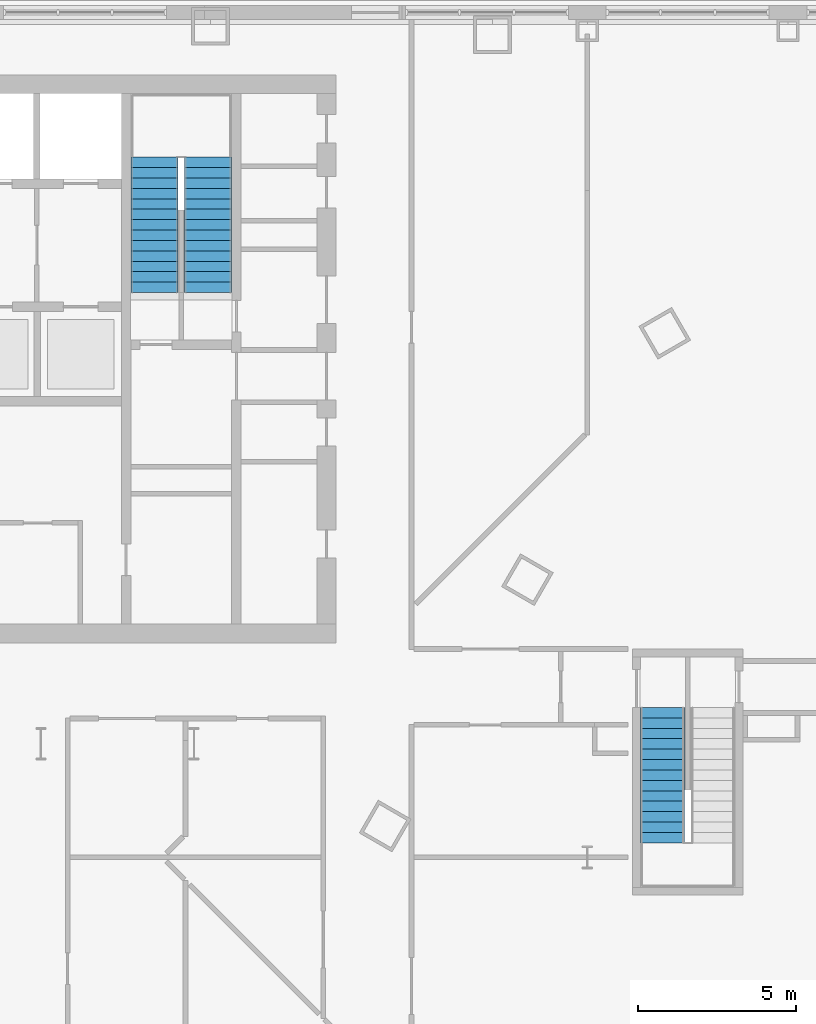
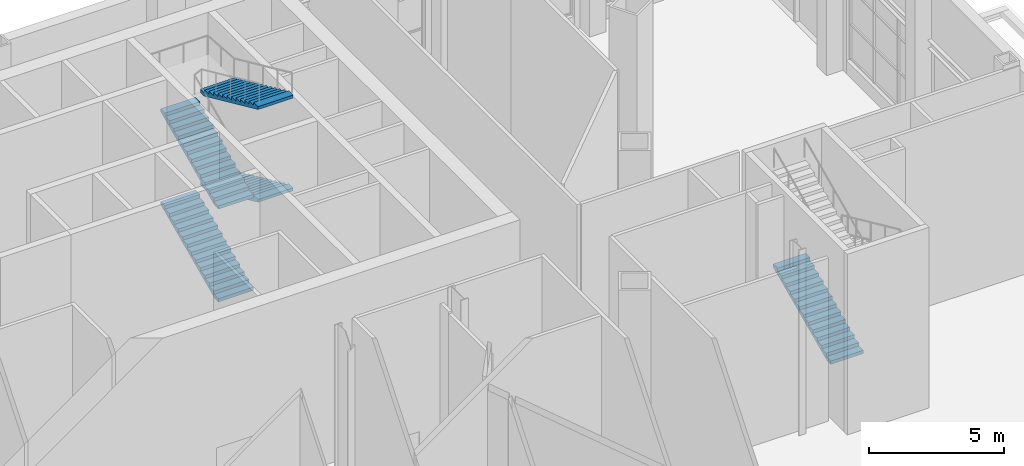
# One storey, part 29 of 34: 5 stair flights, 2 elements without a shape of their own.
"""IFC4 building model written with IfcOpenShell, lengths in metres."""

from ifc_helpers import new_model, si_unit, direction, frame, origin, place, context, subcontext, project, spatial, polygons, material, type_object, element, aggregate, save


model = new_model("IFC4")

# Units and contexts
model_context = context("Model", 3, precision=1e-05, world=origin(), true_north=direction((0.0, 1.0)))
body_context = subcontext(model_context, "Body", "Model", "MODEL_VIEW")
ifc_project = project(units=[si_unit("LENGTHUNIT", "METRE"), si_unit("AREAUNIT", "SQUARE_METRE"), si_unit("VOLUMEUNIT", "CUBIC_METRE"), si_unit("PLANEANGLEUNIT", "RADIAN"), si_unit("MASSUNIT", "GRAM", prefix="KILO")], contexts=[model_context])

# Site, building, storey
site_placement = place(None, origin())
site = spatial("IfcSite", under=ifc_project, at=site_placement, CompositionType="ELEMENT")
building_placement = place(site_placement, origin())
building = spatial("IfcBuilding", under=site, at=building_placement, Name="Njiva Tower", CompositionType="ELEMENT")
storey_placement = place(building_placement, origin())
storey = spatial("IfcBuildingStorey", under=building, at=storey_placement, Name="L00", CompositionType="ELEMENT", Elevation=0.0)

# Stair, stair flight
ifc_material = material(Name="Concrete C40/50", Category="concrete")
stair_type_1 = type_object("IfcStairType", Name="ST2 Exit stair 1400", PredefinedType="HALF_TURN_STAIR", material=ifc_material)
stair_1_placement = place(storey_placement, origin())
stair_1 = element("IfcStair", 1, at=stair_1_placement, inside=storey, type_object=stair_type_1, Name="Stair G", PredefinedType="DOUBLE_RETURN_STAIR")
stair_flight_type_1 = type_object("IfcStairFlightType", Name="FL2 Stair flight 1400", PredefinedType="STRAIGHT", material=ifc_material)
stair_flight_1_placement = place(storey_placement, frame((27.85, -6.34, 2.1), z_axis=(0.0, 0.0, 1.0), x_axis=(0.0, 1.0, 0.0)))
stair_flight_1 = element("IfcStairFlight", 2, at=stair_flight_1_placement, type_object=stair_flight_type_1, Name="ST-G flight 2", NumberOfRisers=14, NumberOfTreads=13, PredefinedType="STRAIGHT", RiserHeight=0.15, TreadLength=0.33, context=body_context, shape_type="Tessellation", body=[
    polygons([(0.0, 0.7, 0.0), (0.0, 0.35, 0.0), (0.0, 0.0, 0.0), (0.0, -0.35, 0.0), (0.0, -0.7, 0.0), (0.0, 0.7, 0.15), (0.0, 0.35, 0.15), (0.0, 0.0, 0.15), (0.0, -0.35, 0.15), (0.0, -0.7, 0.15), (0.33, 0.7, 0.15), (0.33, 0.35, 0.15), (0.33, 0.0, 0.15), (0.33, -0.35, 0.15), (0.33, -0.7, 0.15), (0.33, 0.7, 0.3), (0.33, 0.35, 0.3), (0.33, 0.0, 0.3), (0.33, -0.35, 0.3), (0.33, -0.7, 0.3), (0.66, 0.7, 0.3), (0.66, 0.35, 0.3), (0.66, 0.0, 0.3), (0.66, -0.35, 0.3), (0.66, -0.7, 0.3), (0.66, 0.7, 0.45), (0.66, 0.35, 0.45), (0.66, 0.0, 0.45), (0.66, -0.35, 0.45), (0.66, -0.7, 0.45), (0.99, 0.7, 0.45), (0.99, 0.35, 0.45), (0.99, 0.0, 0.45), (0.99, -0.35, 0.45), (0.99, -0.7, 0.45), (0.99, 0.7, 0.6), (0.99, 0.35, 0.6), (0.99, 0.0, 0.6), (0.99, -0.35, 0.6), (0.99, -0.7, 0.6), (1.32, 0.7, 0.6), (1.32, 0.35, 0.6), (1.32, 0.0, 0.6), (1.32, -0.35, 0.6), (1.32, -0.7, 0.6), (1.32, 0.7, 0.75), (1.32, 0.35, 0.75), (1.32, 0.0, 0.75), (1.32, -0.35, 0.75), (1.32, -0.7, 0.75), (1.65, 0.7, 0.75), (1.65, 0.35, 0.75), (1.65, 0.0, 0.75), (1.65, -0.35, 0.75), (1.65, -0.7, 0.75), (1.65, 0.7, 0.9), (1.65, 0.35, 0.9), (1.65, 0.0, 0.9), (1.65, -0.35, 0.9), (1.65, -0.7, 0.9), (1.98, 0.7, 0.9), (1.98, 0.35, 0.9), (1.98, 0.0, 0.9), (1.98, -0.35, 0.9), (1.98, -0.7, 0.9), (1.98, 0.7, 1.05), (1.98, 0.35, 1.05), (1.98, 0.0, 1.05), (1.98, -0.35, 1.05), (1.98, -0.7, 1.05), (2.31, 0.7, 1.05), (2.31, 0.35, 1.05), (2.31, 0.0, 1.05), (2.31, -0.35, 1.05), (2.31, -0.7, 1.05), (2.31, 0.7, 1.2), (2.31, 0.35, 1.2), (2.31, 0.0, 1.2), (2.31, -0.35, 1.2), (2.31, -0.7, 1.2), (2.64, 0.7, 1.2), (2.64, 0.35, 1.2), (2.64, 0.0, 1.2), (2.64, -0.35, 1.2), (2.64, -0.7, 1.2), (2.64, 0.7, 1.35), (2.64, 0.35, 1.35), (2.64, 0.0, 1.35), (2.64, -0.35, 1.35), (2.64, -0.7, 1.35), (2.97, 0.7, 1.35), (2.97, 0.35, 1.35), (2.97, 0.0, 1.35), (2.97, -0.35, 1.35), (2.97, -0.7, 1.35), (2.97, 0.7, 1.5), (2.97, 0.35, 1.5), (2.97, 0.0, 1.5), (2.97, -0.35, 1.5), (2.97, -0.7, 1.5), (3.3, 0.7, 1.5), (3.3, 0.35, 1.5), (3.3, 0.0, 1.5), (3.3, -0.35, 1.5), (3.3, -0.7, 1.5), (3.3, 0.7, 1.65), (3.3, 0.35, 1.65), (3.3, 0.0, 1.65), (3.3, -0.35, 1.65), (3.3, -0.7, 1.65), (3.63, 0.7, 1.65), (3.63, 0.35, 1.65), (3.63, 0.0, 1.65), (3.63, -0.35, 1.65), (3.63, -0.7, 1.65), (3.63, 0.7, 1.8), (3.63, 0.35, 1.8), (3.63, 0.0, 1.8), (3.63, -0.35, 1.8), (3.63, -0.7, 1.8), (3.96, 0.7, 1.8), (3.96, 0.35, 1.8), (3.96, 0.0, 1.8), (3.96, -0.35, 1.8), (3.96, -0.7, 1.8), (3.96, 0.7, 1.95), (3.96, 0.35, 1.95), (3.96, 0.0, 1.95), (3.96, -0.35, 1.95), (3.96, -0.7, 1.95), (4.29, 0.7, 1.95), (4.29, 0.35, 1.95), (4.29, 0.0, 1.95), (4.29, -0.35, 1.95), (4.29, -0.7, 1.95), (4.29, 0.7, 1.8182), (4.29, 0.35, 1.8182), (4.29, 0.0, 1.8182), (4.29, -0.35, 1.8182), (4.29, -0.7, 1.8182), (0.29, 0.7, 0.0), (0.29, 0.35, 0.0), (0.29, 0.0, 0.0), (0.29, -0.35, 0.0), (0.29, -0.7, 0.0)], [[[1, 6, 11, 16, 21, 26, 31, 36, 41, 46, 51, 56, 61, 66, 71, 76, 81, 86, 91, 96, 101, 106, 111, 116, 121, 126, 131, 136, 141]], [[145, 140, 135, 130, 125, 120, 115, 110, 105, 100, 95, 90, 85, 80, 75, 70, 65, 60, 55, 50, 45, 40, 35, 30, 25, 20, 15, 10, 5]], [[6, 1, 2, 7]], [[7, 2, 3, 8]], [[8, 3, 4, 9]], [[9, 4, 5, 10]], [[11, 6, 7, 12]], [[12, 7, 8, 13]], [[13, 8, 9, 14]], [[14, 9, 10, 15]], [[16, 11, 12, 17]], [[17, 12, 13, 18]], [[18, 13, 14, 19]], [[19, 14, 15, 20]], [[21, 16, 17, 22]], [[22, 17, 18, 23]], [[23, 18, 19, 24]], [[24, 19, 20, 25]], [[26, 21, 22, 27]], [[27, 22, 23, 28]], [[28, 23, 24, 29]], [[29, 24, 25, 30]], [[31, 26, 27, 32]], [[32, 27, 28, 33]], [[33, 28, 29, 34]], [[34, 29, 30, 35]], [[36, 31, 32, 37]], [[37, 32, 33, 38]], [[38, 33, 34, 39]], [[39, 34, 35, 40]], [[41, 36, 37, 42]], [[42, 37, 38, 43]], [[43, 38, 39, 44]], [[44, 39, 40, 45]], [[46, 41, 42, 47]], [[47, 42, 43, 48]], [[48, 43, 44, 49]], [[49, 44, 45, 50]], [[51, 46, 47, 52]], [[52, 47, 48, 53]], [[53, 48, 49, 54]], [[54, 49, 50, 55]], [[56, 51, 52, 57]], [[57, 52, 53, 58]], [[58, 53, 54, 59]], [[59, 54, 55, 60]], [[61, 56, 57, 62]], [[62, 57, 58, 63]], [[63, 58, 59, 64]], [[64, 59, 60, 65]], [[66, 61, 62, 67]], [[67, 62, 63, 68]], [[68, 63, 64, 69]], [[69, 64, 65, 70]], [[71, 66, 67, 72]], [[72, 67, 68, 73]], [[73, 68, 69, 74]], [[74, 69, 70, 75]], [[76, 71, 72, 77]], [[77, 72, 73, 78]], [[78, 73, 74, 79]], [[79, 74, 75, 80]], [[81, 76, 77, 82]], [[82, 77, 78, 83]], [[83, 78, 79, 84]], [[84, 79, 80, 85]], [[86, 81, 82, 87]], [[87, 82, 83, 88]], [[88, 83, 84, 89]], [[89, 84, 85, 90]], [[91, 86, 87, 92]], [[92, 87, 88, 93]], [[93, 88, 89, 94]], [[94, 89, 90, 95]], [[96, 91, 92, 97]], [[97, 92, 93, 98]], [[98, 93, 94, 99]], [[99, 94, 95, 100]], [[101, 96, 97, 102]], [[102, 97, 98, 103]], [[103, 98, 99, 104]], [[104, 99, 100, 105]], [[106, 101, 102, 107]], [[107, 102, 103, 108]], [[108, 103, 104, 109]], [[109, 104, 105, 110]], [[111, 106, 107, 112]], [[112, 107, 108, 113]], [[113, 108, 109, 114]], [[114, 109, 110, 115]], [[116, 111, 112, 117]], [[117, 112, 113, 118]], [[118, 113, 114, 119]], [[119, 114, 115, 120]], [[121, 116, 117, 122]], [[122, 117, 118, 123]], [[123, 118, 119, 124]], [[124, 119, 120, 125]], [[126, 121, 122, 127]], [[127, 122, 123, 128]], [[128, 123, 124, 129]], [[129, 124, 125, 130]], [[131, 126, 127, 132]], [[132, 127, 128, 133]], [[133, 128, 129, 134]], [[134, 129, 130, 135]], [[136, 131, 132, 137]], [[137, 132, 133, 138]], [[138, 133, 134, 139]], [[139, 134, 135, 140]], [[141, 136, 137, 142]], [[142, 137, 138, 143]], [[143, 138, 139, 144]], [[144, 139, 140, 145]], [[1, 141, 142, 2]], [[2, 142, 143, 3]], [[3, 143, 144, 4]], [[4, 144, 145, 5]]], closed=True),
])
aggregate(stair_1, [stair_flight_1])

# Stair, stair flights
stair_type_2 = type_object("IfcStairType", Name="ST4 Exit stair 1500", PredefinedType="HALF_TURN_STAIR", material=ifc_material)
stair_2_placement = place(storey_placement, origin())
stair_2 = element("IfcStair", 3, at=stair_2_placement, inside=storey, type_object=stair_type_2, Name="Stair B", PredefinedType="DOUBLE_RETURN_STAIR")
stair_flight_type_2 = type_object("IfcStairFlightType", Name="FL4 Stair flight 1500", PredefinedType="STRAIGHT", material=ifc_material)
stair_flight_2_placement = place(storey_placement, frame((11.75, 11.1, 0.0), z_axis=(0.0, 0.0, 1.0), x_axis=(0.0, 1.0, 0.0)))
stair_flight_2 = element("IfcStairFlight", 4, at=stair_flight_2_placement, type_object=stair_flight_type_2, Name="ST-B flight 1", NumberOfRisers=14, NumberOfTreads=13, PredefinedType="STRAIGHT", RiserHeight=0.15, TreadLength=0.33, context=body_context, shape_type="Tessellation", body=[
    polygons([(0.0, 0.75, 0.0), (0.0, 0.375, 0.0), (0.0, 0.0, 0.0), (0.0, -0.375, 0.0), (0.0, -0.75, 0.0), (0.0, 0.75, 0.15), (0.0, 0.375, 0.15), (0.0, 0.0, 0.15), (0.0, -0.375, 0.15), (0.0, -0.75, 0.15), (0.33, 0.75, 0.15), (0.33, 0.375, 0.15), (0.33, 0.0, 0.15), (0.33, -0.375, 0.15), (0.33, -0.75, 0.15), (0.33, 0.75, 0.3), (0.33, 0.375, 0.3), (0.33, 0.0, 0.3), (0.33, -0.375, 0.3), (0.33, -0.75, 0.3), (0.66, 0.75, 0.3), (0.66, 0.375, 0.3), (0.66, 0.0, 0.3), (0.66, -0.375, 0.3), (0.66, -0.75, 0.3), (0.66, 0.75, 0.45), (0.66, 0.375, 0.45), (0.66, 0.0, 0.45), (0.66, -0.375, 0.45), (0.66, -0.75, 0.45), (0.99, 0.75, 0.45), (0.99, 0.375, 0.45), (0.99, 0.0, 0.45), (0.99, -0.375, 0.45), (0.99, -0.75, 0.45), (0.99, 0.75, 0.6), (0.99, 0.375, 0.6), (0.99, 0.0, 0.6), (0.99, -0.375, 0.6), (0.99, -0.75, 0.6), (1.32, 0.75, 0.6), (1.32, 0.375, 0.6), (1.32, 0.0, 0.6), (1.32, -0.375, 0.6), (1.32, -0.75, 0.6), (1.32, 0.75, 0.75), (1.32, 0.375, 0.75), (1.32, 0.0, 0.75), (1.32, -0.375, 0.75), (1.32, -0.75, 0.75), (1.65, 0.75, 0.75), (1.65, 0.375, 0.75), (1.65, 0.0, 0.75), (1.65, -0.375, 0.75), (1.65, -0.75, 0.75), (1.65, 0.75, 0.9), (1.65, 0.375, 0.9), (1.65, 0.0, 0.9), (1.65, -0.375, 0.9), (1.65, -0.75, 0.9), (1.98, 0.75, 0.9), (1.98, 0.375, 0.9), (1.98, 0.0, 0.9), (1.98, -0.375, 0.9), (1.98, -0.75, 0.9), (1.98, 0.75, 1.05), (1.98, 0.375, 1.05), (1.98, 0.0, 1.05), (1.98, -0.375, 1.05), (1.98, -0.75, 1.05), (2.31, 0.75, 1.05), (2.31, 0.375, 1.05), (2.31, 0.0, 1.05), (2.31, -0.375, 1.05), (2.31, -0.75, 1.05), (2.31, 0.75, 1.2), (2.31, 0.375, 1.2), (2.31, 0.0, 1.2), (2.31, -0.375, 1.2), (2.31, -0.75, 1.2), (2.64, 0.75, 1.2), (2.64, 0.375, 1.2), (2.64, 0.0, 1.2), (2.64, -0.375, 1.2), (2.64, -0.75, 1.2), (2.64, 0.75, 1.35), (2.64, 0.375, 1.35), (2.64, 0.0, 1.35), (2.64, -0.375, 1.35), (2.64, -0.75, 1.35), (2.97, 0.75, 1.35), (2.97, 0.375, 1.35), (2.97, 0.0, 1.35), (2.97, -0.375, 1.35), (2.97, -0.75, 1.35), (2.97, 0.75, 1.5), (2.97, 0.375, 1.5), (2.97, 0.0, 1.5), (2.97, -0.375, 1.5), (2.97, -0.75, 1.5), (3.3, 0.75, 1.5), (3.3, 0.375, 1.5), (3.3, 0.0, 1.5), (3.3, -0.375, 1.5), (3.3, -0.75, 1.5), (3.3, 0.75, 1.65), (3.3, 0.375, 1.65), (3.3, 0.0, 1.65), (3.3, -0.375, 1.65), (3.3, -0.75, 1.65), (3.63, 0.75, 1.65), (3.63, 0.375, 1.65), (3.63, 0.0, 1.65), (3.63, -0.375, 1.65), (3.63, -0.75, 1.65), (3.63, 0.75, 1.8), (3.63, 0.375, 1.8), (3.63, 0.0, 1.8), (3.63, -0.375, 1.8), (3.63, -0.75, 1.8), (3.96, 0.75, 1.8), (3.96, 0.375, 1.8), (3.96, 0.0, 1.8), (3.96, -0.375, 1.8), (3.96, -0.75, 1.8), (3.96, 0.75, 1.95), (3.96, 0.375, 1.95), (3.96, 0.0, 1.95), (3.96, -0.375, 1.95), (3.96, -0.75, 1.95), (4.29, 0.75, 1.95), (4.29, 0.375, 1.95), (4.29, 0.0, 1.95), (4.29, -0.375, 1.95), (4.29, -0.75, 1.95), (4.29, 0.75, 1.8182), (4.29, 0.375, 1.8182), (4.29, 0.0, 1.8182), (4.29, -0.375, 1.8182), (4.29, -0.75, 1.8182), (0.29, 0.75, 0.0), (0.29, 0.375, 0.0), (0.29, 0.0, 0.0), (0.29, -0.375, 0.0), (0.29, -0.75, 0.0)], [[[1, 6, 11, 16, 21, 26, 31, 36, 41, 46, 51, 56, 61, 66, 71, 76, 81, 86, 91, 96, 101, 106, 111, 116, 121, 126, 131, 136, 141]], [[145, 140, 135, 130, 125, 120, 115, 110, 105, 100, 95, 90, 85, 80, 75, 70, 65, 60, 55, 50, 45, 40, 35, 30, 25, 20, 15, 10, 5]], [[6, 1, 2, 7]], [[7, 2, 3, 8]], [[8, 3, 4, 9]], [[9, 4, 5, 10]], [[11, 6, 7, 12]], [[12, 7, 8, 13]], [[13, 8, 9, 14]], [[14, 9, 10, 15]], [[16, 11, 12, 17]], [[17, 12, 13, 18]], [[18, 13, 14, 19]], [[19, 14, 15, 20]], [[21, 16, 17, 22]], [[22, 17, 18, 23]], [[23, 18, 19, 24]], [[24, 19, 20, 25]], [[26, 21, 22, 27]], [[27, 22, 23, 28]], [[28, 23, 24, 29]], [[29, 24, 25, 30]], [[31, 26, 27, 32]], [[32, 27, 28, 33]], [[33, 28, 29, 34]], [[34, 29, 30, 35]], [[36, 31, 32, 37]], [[37, 32, 33, 38]], [[38, 33, 34, 39]], [[39, 34, 35, 40]], [[41, 36, 37, 42]], [[42, 37, 38, 43]], [[43, 38, 39, 44]], [[44, 39, 40, 45]], [[46, 41, 42, 47]], [[47, 42, 43, 48]], [[48, 43, 44, 49]], [[49, 44, 45, 50]], [[51, 46, 47, 52]], [[52, 47, 48, 53]], [[53, 48, 49, 54]], [[54, 49, 50, 55]], [[56, 51, 52, 57]], [[57, 52, 53, 58]], [[58, 53, 54, 59]], [[59, 54, 55, 60]], [[61, 56, 57, 62]], [[62, 57, 58, 63]], [[63, 58, 59, 64]], [[64, 59, 60, 65]], [[66, 61, 62, 67]], [[67, 62, 63, 68]], [[68, 63, 64, 69]], [[69, 64, 65, 70]], [[71, 66, 67, 72]], [[72, 67, 68, 73]], [[73, 68, 69, 74]], [[74, 69, 70, 75]], [[76, 71, 72, 77]], [[77, 72, 73, 78]], [[78, 73, 74, 79]], [[79, 74, 75, 80]], [[81, 76, 77, 82]], [[82, 77, 78, 83]], [[83, 78, 79, 84]], [[84, 79, 80, 85]], [[86, 81, 82, 87]], [[87, 82, 83, 88]], [[88, 83, 84, 89]], [[89, 84, 85, 90]], [[91, 86, 87, 92]], [[92, 87, 88, 93]], [[93, 88, 89, 94]], [[94, 89, 90, 95]], [[96, 91, 92, 97]], [[97, 92, 93, 98]], [[98, 93, 94, 99]], [[99, 94, 95, 100]], [[101, 96, 97, 102]], [[102, 97, 98, 103]], [[103, 98, 99, 104]], [[104, 99, 100, 105]], [[106, 101, 102, 107]], [[107, 102, 103, 108]], [[108, 103, 104, 109]], [[109, 104, 105, 110]], [[111, 106, 107, 112]], [[112, 107, 108, 113]], [[113, 108, 109, 114]], [[114, 109, 110, 115]], [[116, 111, 112, 117]], [[117, 112, 113, 118]], [[118, 113, 114, 119]], [[119, 114, 115, 120]], [[121, 116, 117, 122]], [[122, 117, 118, 123]], [[123, 118, 119, 124]], [[124, 119, 120, 125]], [[126, 121, 122, 127]], [[127, 122, 123, 128]], [[128, 123, 124, 129]], [[129, 124, 125, 130]], [[131, 126, 127, 132]], [[132, 127, 128, 133]], [[133, 128, 129, 134]], [[134, 129, 130, 135]], [[136, 131, 132, 137]], [[137, 132, 133, 138]], [[138, 133, 134, 139]], [[139, 134, 135, 140]], [[141, 136, 137, 142]], [[142, 137, 138, 143]], [[143, 138, 139, 144]], [[144, 139, 140, 145]], [[1, 141, 142, 2]], [[2, 142, 143, 3]], [[3, 143, 144, 4]], [[4, 144, 145, 5]]], closed=True),
])
stair_flight_3_placement = place(storey_placement, frame((13.45, 15.39, 2.1), z_axis=(0.0, 0.0, 1.0), x_axis=(0.0, -1.0, 0.0)))
stair_flight_3 = element("IfcStairFlight", 5, at=stair_flight_3_placement, type_object=stair_flight_type_2, Name="ST-B flight 2", NumberOfRisers=14, NumberOfTreads=13, PredefinedType="STRAIGHT", RiserHeight=0.15, TreadLength=0.33, context=body_context, shape_type="Tessellation", body=[
    polygons([(0.0, 0.75, 0.0), (0.0, 0.375, 0.0), (0.0, 0.0, 0.0), (0.0, -0.375, 0.0), (0.0, -0.75, 0.0), (0.0, 0.75, 0.15), (0.0, 0.375, 0.15), (0.0, 0.0, 0.15), (0.0, -0.375, 0.15), (0.0, -0.75, 0.15), (0.33, 0.75, 0.15), (0.33, 0.375, 0.15), (0.33, 0.0, 0.15), (0.33, -0.375, 0.15), (0.33, -0.75, 0.15), (0.33, 0.75, 0.3), (0.33, 0.375, 0.3), (0.33, 0.0, 0.3), (0.33, -0.375, 0.3), (0.33, -0.75, 0.3), (0.66, 0.75, 0.3), (0.66, 0.375, 0.3), (0.66, 0.0, 0.3), (0.66, -0.375, 0.3), (0.66, -0.75, 0.3), (0.66, 0.75, 0.45), (0.66, 0.375, 0.45), (0.66, 0.0, 0.45), (0.66, -0.375, 0.45), (0.66, -0.75, 0.45), (0.99, 0.75, 0.45), (0.99, 0.375, 0.45), (0.99, 0.0, 0.45), (0.99, -0.375, 0.45), (0.99, -0.75, 0.45), (0.99, 0.75, 0.6), (0.99, 0.375, 0.6), (0.99, 0.0, 0.6), (0.99, -0.375, 0.6), (0.99, -0.75, 0.6), (1.32, 0.75, 0.6), (1.32, 0.375, 0.6), (1.32, 0.0, 0.6), (1.32, -0.375, 0.6), (1.32, -0.75, 0.6), (1.32, 0.75, 0.75), (1.32, 0.375, 0.75), (1.32, 0.0, 0.75), (1.32, -0.375, 0.75), (1.32, -0.75, 0.75), (1.65, 0.75, 0.75), (1.65, 0.375, 0.75), (1.65, 0.0, 0.75), (1.65, -0.375, 0.75), (1.65, -0.75, 0.75), (1.65, 0.75, 0.9), (1.65, 0.375, 0.9), (1.65, 0.0, 0.9), (1.65, -0.375, 0.9), (1.65, -0.75, 0.9), (1.98, 0.75, 0.9), (1.98, 0.375, 0.9), (1.98, 0.0, 0.9), (1.98, -0.375, 0.9), (1.98, -0.75, 0.9), (1.98, 0.75, 1.05), (1.98, 0.375, 1.05), (1.98, 0.0, 1.05), (1.98, -0.375, 1.05), (1.98, -0.75, 1.05), (2.31, 0.75, 1.05), (2.31, 0.375, 1.05), (2.31, 0.0, 1.05), (2.31, -0.375, 1.05), (2.31, -0.75, 1.05), (2.31, 0.75, 1.2), (2.31, 0.375, 1.2), (2.31, 0.0, 1.2), (2.31, -0.375, 1.2), (2.31, -0.75, 1.2), (2.64, 0.75, 1.2), (2.64, 0.375, 1.2), (2.64, 0.0, 1.2), (2.64, -0.375, 1.2), (2.64, -0.75, 1.2), (2.64, 0.75, 1.35), (2.64, 0.375, 1.35), (2.64, 0.0, 1.35), (2.64, -0.375, 1.35), (2.64, -0.75, 1.35), (2.97, 0.75, 1.35), (2.97, 0.375, 1.35), (2.97, 0.0, 1.35), (2.97, -0.375, 1.35), (2.97, -0.75, 1.35), (2.97, 0.75, 1.5), (2.97, 0.375, 1.5), (2.97, 0.0, 1.5), (2.97, -0.375, 1.5), (2.97, -0.75, 1.5), (3.3, 0.75, 1.5), (3.3, 0.375, 1.5), (3.3, 0.0, 1.5), (3.3, -0.375, 1.5), (3.3, -0.75, 1.5), (3.3, 0.75, 1.65), (3.3, 0.375, 1.65), (3.3, 0.0, 1.65), (3.3, -0.375, 1.65), (3.3, -0.75, 1.65), (3.63, 0.75, 1.65), (3.63, 0.375, 1.65), (3.63, 0.0, 1.65), (3.63, -0.375, 1.65), (3.63, -0.75, 1.65), (3.63, 0.75, 1.8), (3.63, 0.375, 1.8), (3.63, 0.0, 1.8), (3.63, -0.375, 1.8), (3.63, -0.75, 1.8), (3.96, 0.75, 1.8), (3.96, 0.375, 1.8), (3.96, 0.0, 1.8), (3.96, -0.375, 1.8), (3.96, -0.75, 1.8), (3.96, 0.75, 1.95), (3.96, 0.375, 1.95), (3.96, 0.0, 1.95), (3.96, -0.375, 1.95), (3.96, -0.75, 1.95), (4.29, 0.75, 1.95), (4.29, 0.375, 1.95), (4.29, 0.0, 1.95), (4.29, -0.375, 1.95), (4.29, -0.75, 1.95), (4.29, 0.75, 1.8182), (4.29, 0.375, 1.8182), (4.29, 0.0, 1.8182), (4.29, -0.375, 1.8182), (4.29, -0.75, 1.8182), (0.29, 0.75, 0.0), (0.29, 0.375, 0.0), (0.29, 0.0, 0.0), (0.29, -0.375, 0.0), (0.29, -0.75, 0.0)], [[[1, 6, 11, 16, 21, 26, 31, 36, 41, 46, 51, 56, 61, 66, 71, 76, 81, 86, 91, 96, 101, 106, 111, 116, 121, 126, 131, 136, 141]], [[145, 140, 135, 130, 125, 120, 115, 110, 105, 100, 95, 90, 85, 80, 75, 70, 65, 60, 55, 50, 45, 40, 35, 30, 25, 20, 15, 10, 5]], [[6, 1, 2, 7]], [[7, 2, 3, 8]], [[8, 3, 4, 9]], [[9, 4, 5, 10]], [[11, 6, 7, 12]], [[12, 7, 8, 13]], [[13, 8, 9, 14]], [[14, 9, 10, 15]], [[16, 11, 12, 17]], [[17, 12, 13, 18]], [[18, 13, 14, 19]], [[19, 14, 15, 20]], [[21, 16, 17, 22]], [[22, 17, 18, 23]], [[23, 18, 19, 24]], [[24, 19, 20, 25]], [[26, 21, 22, 27]], [[27, 22, 23, 28]], [[28, 23, 24, 29]], [[29, 24, 25, 30]], [[31, 26, 27, 32]], [[32, 27, 28, 33]], [[33, 28, 29, 34]], [[34, 29, 30, 35]], [[36, 31, 32, 37]], [[37, 32, 33, 38]], [[38, 33, 34, 39]], [[39, 34, 35, 40]], [[41, 36, 37, 42]], [[42, 37, 38, 43]], [[43, 38, 39, 44]], [[44, 39, 40, 45]], [[46, 41, 42, 47]], [[47, 42, 43, 48]], [[48, 43, 44, 49]], [[49, 44, 45, 50]], [[51, 46, 47, 52]], [[52, 47, 48, 53]], [[53, 48, 49, 54]], [[54, 49, 50, 55]], [[56, 51, 52, 57]], [[57, 52, 53, 58]], [[58, 53, 54, 59]], [[59, 54, 55, 60]], [[61, 56, 57, 62]], [[62, 57, 58, 63]], [[63, 58, 59, 64]], [[64, 59, 60, 65]], [[66, 61, 62, 67]], [[67, 62, 63, 68]], [[68, 63, 64, 69]], [[69, 64, 65, 70]], [[71, 66, 67, 72]], [[72, 67, 68, 73]], [[73, 68, 69, 74]], [[74, 69, 70, 75]], [[76, 71, 72, 77]], [[77, 72, 73, 78]], [[78, 73, 74, 79]], [[79, 74, 75, 80]], [[81, 76, 77, 82]], [[82, 77, 78, 83]], [[83, 78, 79, 84]], [[84, 79, 80, 85]], [[86, 81, 82, 87]], [[87, 82, 83, 88]], [[88, 83, 84, 89]], [[89, 84, 85, 90]], [[91, 86, 87, 92]], [[92, 87, 88, 93]], [[93, 88, 89, 94]], [[94, 89, 90, 95]], [[96, 91, 92, 97]], [[97, 92, 93, 98]], [[98, 93, 94, 99]], [[99, 94, 95, 100]], [[101, 96, 97, 102]], [[102, 97, 98, 103]], [[103, 98, 99, 104]], [[104, 99, 100, 105]], [[106, 101, 102, 107]], [[107, 102, 103, 108]], [[108, 103, 104, 109]], [[109, 104, 105, 110]], [[111, 106, 107, 112]], [[112, 107, 108, 113]], [[113, 108, 109, 114]], [[114, 109, 110, 115]], [[116, 111, 112, 117]], [[117, 112, 113, 118]], [[118, 113, 114, 119]], [[119, 114, 115, 120]], [[121, 116, 117, 122]], [[122, 117, 118, 123]], [[123, 118, 119, 124]], [[124, 119, 120, 125]], [[126, 121, 122, 127]], [[127, 122, 123, 128]], [[128, 123, 124, 129]], [[129, 124, 125, 130]], [[131, 126, 127, 132]], [[132, 127, 128, 133]], [[133, 128, 129, 134]], [[134, 129, 130, 135]], [[136, 131, 132, 137]], [[137, 132, 133, 138]], [[138, 133, 134, 139]], [[139, 134, 135, 140]], [[141, 136, 137, 142]], [[142, 137, 138, 143]], [[143, 138, 139, 144]], [[144, 139, 140, 145]], [[1, 141, 142, 2]], [[2, 142, 143, 3]], [[3, 143, 144, 4]], [[4, 144, 145, 5]]], closed=True),
])
stair_flight_4_placement = place(storey_placement, frame((11.75, 11.1, 4.2), z_axis=(0.0, 0.0, 1.0), x_axis=(0.0, 1.0, 0.0)))
stair_flight_4 = element("IfcStairFlight", 6, at=stair_flight_4_placement, type_object=stair_flight_type_2, Name="ST-B flight 3", NumberOfRisers=14, NumberOfTreads=13, PredefinedType="STRAIGHT", RiserHeight=0.15, TreadLength=0.33, context=body_context, shape_type="Tessellation", body=[
    polygons([(0.0, 0.75, 0.0), (0.0, 0.375, 0.0), (0.0, 0.0, 0.0), (0.0, -0.375, 0.0), (0.0, -0.75, 0.0), (0.0, 0.75, 0.15), (0.0, 0.375, 0.15), (0.0, 0.0, 0.15), (0.0, -0.375, 0.15), (0.0, -0.75, 0.15), (0.33, 0.75, 0.15), (0.33, 0.375, 0.15), (0.33, 0.0, 0.15), (0.33, -0.375, 0.15), (0.33, -0.75, 0.15), (0.33, 0.75, 0.3), (0.33, 0.375, 0.3), (0.33, 0.0, 0.3), (0.33, -0.375, 0.3), (0.33, -0.75, 0.3), (0.66, 0.75, 0.3), (0.66, 0.375, 0.3), (0.66, 0.0, 0.3), (0.66, -0.375, 0.3), (0.66, -0.75, 0.3), (0.66, 0.75, 0.45), (0.66, 0.375, 0.45), (0.66, 0.0, 0.45), (0.66, -0.375, 0.45), (0.66, -0.75, 0.45), (0.99, 0.75, 0.45), (0.99, 0.375, 0.45), (0.99, 0.0, 0.45), (0.99, -0.375, 0.45), (0.99, -0.75, 0.45), (0.99, 0.75, 0.6), (0.99, 0.375, 0.6), (0.99, 0.0, 0.6), (0.99, -0.375, 0.6), (0.99, -0.75, 0.6), (1.32, 0.75, 0.6), (1.32, 0.375, 0.6), (1.32, 0.0, 0.6), (1.32, -0.375, 0.6), (1.32, -0.75, 0.6), (1.32, 0.75, 0.75), (1.32, 0.375, 0.75), (1.32, 0.0, 0.75), (1.32, -0.375, 0.75), (1.32, -0.75, 0.75), (1.65, 0.75, 0.75), (1.65, 0.375, 0.75), (1.65, 0.0, 0.75), (1.65, -0.375, 0.75), (1.65, -0.75, 0.75), (1.65, 0.75, 0.9), (1.65, 0.375, 0.9), (1.65, 0.0, 0.9), (1.65, -0.375, 0.9), (1.65, -0.75, 0.9), (1.98, 0.75, 0.9), (1.98, 0.375, 0.9), (1.98, 0.0, 0.9), (1.98, -0.375, 0.9), (1.98, -0.75, 0.9), (1.98, 0.75, 1.05), (1.98, 0.375, 1.05), (1.98, 0.0, 1.05), (1.98, -0.375, 1.05), (1.98, -0.75, 1.05), (2.31, 0.75, 1.05), (2.31, 0.375, 1.05), (2.31, 0.0, 1.05), (2.31, -0.375, 1.05), (2.31, -0.75, 1.05), (2.31, 0.75, 1.2), (2.31, 0.375, 1.2), (2.31, 0.0, 1.2), (2.31, -0.375, 1.2), (2.31, -0.75, 1.2), (2.64, 0.75, 1.2), (2.64, 0.375, 1.2), (2.64, 0.0, 1.2), (2.64, -0.375, 1.2), (2.64, -0.75, 1.2), (2.64, 0.75, 1.35), (2.64, 0.375, 1.35), (2.64, 0.0, 1.35), (2.64, -0.375, 1.35), (2.64, -0.75, 1.35), (2.97, 0.75, 1.35), (2.97, 0.375, 1.35), (2.97, 0.0, 1.35), (2.97, -0.375, 1.35), (2.97, -0.75, 1.35), (2.97, 0.75, 1.5), (2.97, 0.375, 1.5), (2.97, 0.0, 1.5), (2.97, -0.375, 1.5), (2.97, -0.75, 1.5), (3.3, 0.75, 1.5), (3.3, 0.375, 1.5), (3.3, 0.0, 1.5), (3.3, -0.375, 1.5), (3.3, -0.75, 1.5), (3.3, 0.75, 1.65), (3.3, 0.375, 1.65), (3.3, 0.0, 1.65), (3.3, -0.375, 1.65), (3.3, -0.75, 1.65), (3.63, 0.75, 1.65), (3.63, 0.375, 1.65), (3.63, 0.0, 1.65), (3.63, -0.375, 1.65), (3.63, -0.75, 1.65), (3.63, 0.75, 1.8), (3.63, 0.375, 1.8), (3.63, 0.0, 1.8), (3.63, -0.375, 1.8), (3.63, -0.75, 1.8), (3.96, 0.75, 1.8), (3.96, 0.375, 1.8), (3.96, 0.0, 1.8), (3.96, -0.375, 1.8), (3.96, -0.75, 1.8), (3.96, 0.75, 1.95), (3.96, 0.375, 1.95), (3.96, 0.0, 1.95), (3.96, -0.375, 1.95), (3.96, -0.75, 1.95), (4.29, 0.75, 1.95), (4.29, 0.375, 1.95), (4.29, 0.0, 1.95), (4.29, -0.375, 1.95), (4.29, -0.75, 1.95), (4.29, 0.75, 1.8182), (4.29, 0.375, 1.8182), (4.29, 0.0, 1.8182), (4.29, -0.375, 1.8182), (4.29, -0.75, 1.8182), (0.29, 0.75, 0.0), (0.29, 0.375, 0.0), (0.29, 0.0, 0.0), (0.29, -0.375, 0.0), (0.29, -0.75, 0.0)], [[[1, 6, 11, 16, 21, 26, 31, 36, 41, 46, 51, 56, 61, 66, 71, 76, 81, 86, 91, 96, 101, 106, 111, 116, 121, 126, 131, 136, 141]], [[145, 140, 135, 130, 125, 120, 115, 110, 105, 100, 95, 90, 85, 80, 75, 70, 65, 60, 55, 50, 45, 40, 35, 30, 25, 20, 15, 10, 5]], [[6, 1, 2, 7]], [[7, 2, 3, 8]], [[8, 3, 4, 9]], [[9, 4, 5, 10]], [[11, 6, 7, 12]], [[12, 7, 8, 13]], [[13, 8, 9, 14]], [[14, 9, 10, 15]], [[16, 11, 12, 17]], [[17, 12, 13, 18]], [[18, 13, 14, 19]], [[19, 14, 15, 20]], [[21, 16, 17, 22]], [[22, 17, 18, 23]], [[23, 18, 19, 24]], [[24, 19, 20, 25]], [[26, 21, 22, 27]], [[27, 22, 23, 28]], [[28, 23, 24, 29]], [[29, 24, 25, 30]], [[31, 26, 27, 32]], [[32, 27, 28, 33]], [[33, 28, 29, 34]], [[34, 29, 30, 35]], [[36, 31, 32, 37]], [[37, 32, 33, 38]], [[38, 33, 34, 39]], [[39, 34, 35, 40]], [[41, 36, 37, 42]], [[42, 37, 38, 43]], [[43, 38, 39, 44]], [[44, 39, 40, 45]], [[46, 41, 42, 47]], [[47, 42, 43, 48]], [[48, 43, 44, 49]], [[49, 44, 45, 50]], [[51, 46, 47, 52]], [[52, 47, 48, 53]], [[53, 48, 49, 54]], [[54, 49, 50, 55]], [[56, 51, 52, 57]], [[57, 52, 53, 58]], [[58, 53, 54, 59]], [[59, 54, 55, 60]], [[61, 56, 57, 62]], [[62, 57, 58, 63]], [[63, 58, 59, 64]], [[64, 59, 60, 65]], [[66, 61, 62, 67]], [[67, 62, 63, 68]], [[68, 63, 64, 69]], [[69, 64, 65, 70]], [[71, 66, 67, 72]], [[72, 67, 68, 73]], [[73, 68, 69, 74]], [[74, 69, 70, 75]], [[76, 71, 72, 77]], [[77, 72, 73, 78]], [[78, 73, 74, 79]], [[79, 74, 75, 80]], [[81, 76, 77, 82]], [[82, 77, 78, 83]], [[83, 78, 79, 84]], [[84, 79, 80, 85]], [[86, 81, 82, 87]], [[87, 82, 83, 88]], [[88, 83, 84, 89]], [[89, 84, 85, 90]], [[91, 86, 87, 92]], [[92, 87, 88, 93]], [[93, 88, 89, 94]], [[94, 89, 90, 95]], [[96, 91, 92, 97]], [[97, 92, 93, 98]], [[98, 93, 94, 99]], [[99, 94, 95, 100]], [[101, 96, 97, 102]], [[102, 97, 98, 103]], [[103, 98, 99, 104]], [[104, 99, 100, 105]], [[106, 101, 102, 107]], [[107, 102, 103, 108]], [[108, 103, 104, 109]], [[109, 104, 105, 110]], [[111, 106, 107, 112]], [[112, 107, 108, 113]], [[113, 108, 109, 114]], [[114, 109, 110, 115]], [[116, 111, 112, 117]], [[117, 112, 113, 118]], [[118, 113, 114, 119]], [[119, 114, 115, 120]], [[121, 116, 117, 122]], [[122, 117, 118, 123]], [[123, 118, 119, 124]], [[124, 119, 120, 125]], [[126, 121, 122, 127]], [[127, 122, 123, 128]], [[128, 123, 124, 129]], [[129, 124, 125, 130]], [[131, 126, 127, 132]], [[132, 127, 128, 133]], [[133, 128, 129, 134]], [[134, 129, 130, 135]], [[136, 131, 132, 137]], [[137, 132, 133, 138]], [[138, 133, 134, 139]], [[139, 134, 135, 140]], [[141, 136, 137, 142]], [[142, 137, 138, 143]], [[143, 138, 139, 144]], [[144, 139, 140, 145]], [[1, 141, 142, 2]], [[2, 142, 143, 3]], [[3, 143, 144, 4]], [[4, 144, 145, 5]]], closed=True),
])
stair_flight_5_placement = place(storey_placement, frame((13.45, 15.39, 6.3), z_axis=(0.0, 0.0, 1.0), x_axis=(0.0, -1.0, 0.0)))
stair_flight_5 = element("IfcStairFlight", 7, at=stair_flight_5_placement, type_object=stair_flight_type_2, Name="ST-B flight 4", NumberOfRisers=14, NumberOfTreads=13, PredefinedType="STRAIGHT", RiserHeight=0.15, TreadLength=0.33, context=body_context, shape_type="Tessellation", body=[
    polygons([(0.0, 0.75, 0.0), (0.0, 0.375, 0.0), (0.0, 0.0, 0.0), (0.0, -0.375, 0.0), (0.0, -0.75, 0.0), (0.0, 0.75, 0.15), (0.0, 0.375, 0.15), (0.0, 0.0, 0.15), (0.0, -0.375, 0.15), (0.0, -0.75, 0.15), (0.33, 0.75, 0.15), (0.33, 0.375, 0.15), (0.33, 0.0, 0.15), (0.33, -0.375, 0.15), (0.33, -0.75, 0.15), (0.33, 0.75, 0.3), (0.33, 0.375, 0.3), (0.33, 0.0, 0.3), (0.33, -0.375, 0.3), (0.33, -0.75, 0.3), (0.66, 0.75, 0.3), (0.66, 0.375, 0.3), (0.66, 0.0, 0.3), (0.66, -0.375, 0.3), (0.66, -0.75, 0.3), (0.66, 0.75, 0.45), (0.66, 0.375, 0.45), (0.66, 0.0, 0.45), (0.66, -0.375, 0.45), (0.66, -0.75, 0.45), (0.99, 0.75, 0.45), (0.99, 0.375, 0.45), (0.99, 0.0, 0.45), (0.99, -0.375, 0.45), (0.99, -0.75, 0.45), (0.99, 0.75, 0.6), (0.99, 0.375, 0.6), (0.99, 0.0, 0.6), (0.99, -0.375, 0.6), (0.99, -0.75, 0.6), (1.32, 0.75, 0.6), (1.32, 0.375, 0.6), (1.32, 0.0, 0.6), (1.32, -0.375, 0.6), (1.32, -0.75, 0.6), (1.32, 0.75, 0.75), (1.32, 0.375, 0.75), (1.32, 0.0, 0.75), (1.32, -0.375, 0.75), (1.32, -0.75, 0.75), (1.65, 0.75, 0.75), (1.65, 0.375, 0.75), (1.65, 0.0, 0.75), (1.65, -0.375, 0.75), (1.65, -0.75, 0.75), (1.65, 0.75, 0.9), (1.65, 0.375, 0.9), (1.65, 0.0, 0.9), (1.65, -0.375, 0.9), (1.65, -0.75, 0.9), (1.98, 0.75, 0.9), (1.98, 0.375, 0.9), (1.98, 0.0, 0.9), (1.98, -0.375, 0.9), (1.98, -0.75, 0.9), (1.98, 0.75, 1.05), (1.98, 0.375, 1.05), (1.98, 0.0, 1.05), (1.98, -0.375, 1.05), (1.98, -0.75, 1.05), (2.31, 0.75, 1.05), (2.31, 0.375, 1.05), (2.31, 0.0, 1.05), (2.31, -0.375, 1.05), (2.31, -0.75, 1.05), (2.31, 0.75, 1.2), (2.31, 0.375, 1.2), (2.31, 0.0, 1.2), (2.31, -0.375, 1.2), (2.31, -0.75, 1.2), (2.64, 0.75, 1.2), (2.64, 0.375, 1.2), (2.64, 0.0, 1.2), (2.64, -0.375, 1.2), (2.64, -0.75, 1.2), (2.64, 0.75, 1.35), (2.64, 0.375, 1.35), (2.64, 0.0, 1.35), (2.64, -0.375, 1.35), (2.64, -0.75, 1.35), (2.97, 0.75, 1.35), (2.97, 0.375, 1.35), (2.97, 0.0, 1.35), (2.97, -0.375, 1.35), (2.97, -0.75, 1.35), (2.97, 0.75, 1.5), (2.97, 0.375, 1.5), (2.97, 0.0, 1.5), (2.97, -0.375, 1.5), (2.97, -0.75, 1.5), (3.3, 0.75, 1.5), (3.3, 0.375, 1.5), (3.3, 0.0, 1.5), (3.3, -0.375, 1.5), (3.3, -0.75, 1.5), (3.3, 0.75, 1.65), (3.3, 0.375, 1.65), (3.3, 0.0, 1.65), (3.3, -0.375, 1.65), (3.3, -0.75, 1.65), (3.63, 0.75, 1.65), (3.63, 0.375, 1.65), (3.63, 0.0, 1.65), (3.63, -0.375, 1.65), (3.63, -0.75, 1.65), (3.63, 0.75, 1.8), (3.63, 0.375, 1.8), (3.63, 0.0, 1.8), (3.63, -0.375, 1.8), (3.63, -0.75, 1.8), (3.96, 0.75, 1.8), (3.96, 0.375, 1.8), (3.96, 0.0, 1.8), (3.96, -0.375, 1.8), (3.96, -0.75, 1.8), (3.96, 0.75, 1.95), (3.96, 0.375, 1.95), (3.96, 0.0, 1.95), (3.96, -0.375, 1.95), (3.96, -0.75, 1.95), (4.29, 0.75, 1.95), (4.29, 0.375, 1.95), (4.29, 0.0, 1.95), (4.29, -0.375, 1.95), (4.29, -0.75, 1.95), (4.29, 0.75, 1.8182), (4.29, 0.375, 1.8182), (4.29, 0.0, 1.8182), (4.29, -0.375, 1.8182), (4.29, -0.75, 1.8182), (0.29, 0.75, 0.0), (0.29, 0.375, 0.0), (0.29, 0.0, 0.0), (0.29, -0.375, 0.0), (0.29, -0.75, 0.0)], [[[1, 6, 11, 16, 21, 26, 31, 36, 41, 46, 51, 56, 61, 66, 71, 76, 81, 86, 91, 96, 101, 106, 111, 116, 121, 126, 131, 136, 141]], [[145, 140, 135, 130, 125, 120, 115, 110, 105, 100, 95, 90, 85, 80, 75, 70, 65, 60, 55, 50, 45, 40, 35, 30, 25, 20, 15, 10, 5]], [[6, 1, 2, 7]], [[7, 2, 3, 8]], [[8, 3, 4, 9]], [[9, 4, 5, 10]], [[11, 6, 7, 12]], [[12, 7, 8, 13]], [[13, 8, 9, 14]], [[14, 9, 10, 15]], [[16, 11, 12, 17]], [[17, 12, 13, 18]], [[18, 13, 14, 19]], [[19, 14, 15, 20]], [[21, 16, 17, 22]], [[22, 17, 18, 23]], [[23, 18, 19, 24]], [[24, 19, 20, 25]], [[26, 21, 22, 27]], [[27, 22, 23, 28]], [[28, 23, 24, 29]], [[29, 24, 25, 30]], [[31, 26, 27, 32]], [[32, 27, 28, 33]], [[33, 28, 29, 34]], [[34, 29, 30, 35]], [[36, 31, 32, 37]], [[37, 32, 33, 38]], [[38, 33, 34, 39]], [[39, 34, 35, 40]], [[41, 36, 37, 42]], [[42, 37, 38, 43]], [[43, 38, 39, 44]], [[44, 39, 40, 45]], [[46, 41, 42, 47]], [[47, 42, 43, 48]], [[48, 43, 44, 49]], [[49, 44, 45, 50]], [[51, 46, 47, 52]], [[52, 47, 48, 53]], [[53, 48, 49, 54]], [[54, 49, 50, 55]], [[56, 51, 52, 57]], [[57, 52, 53, 58]], [[58, 53, 54, 59]], [[59, 54, 55, 60]], [[61, 56, 57, 62]], [[62, 57, 58, 63]], [[63, 58, 59, 64]], [[64, 59, 60, 65]], [[66, 61, 62, 67]], [[67, 62, 63, 68]], [[68, 63, 64, 69]], [[69, 64, 65, 70]], [[71, 66, 67, 72]], [[72, 67, 68, 73]], [[73, 68, 69, 74]], [[74, 69, 70, 75]], [[76, 71, 72, 77]], [[77, 72, 73, 78]], [[78, 73, 74, 79]], [[79, 74, 75, 80]], [[81, 76, 77, 82]], [[82, 77, 78, 83]], [[83, 78, 79, 84]], [[84, 79, 80, 85]], [[86, 81, 82, 87]], [[87, 82, 83, 88]], [[88, 83, 84, 89]], [[89, 84, 85, 90]], [[91, 86, 87, 92]], [[92, 87, 88, 93]], [[93, 88, 89, 94]], [[94, 89, 90, 95]], [[96, 91, 92, 97]], [[97, 92, 93, 98]], [[98, 93, 94, 99]], [[99, 94, 95, 100]], [[101, 96, 97, 102]], [[102, 97, 98, 103]], [[103, 98, 99, 104]], [[104, 99, 100, 105]], [[106, 101, 102, 107]], [[107, 102, 103, 108]], [[108, 103, 104, 109]], [[109, 104, 105, 110]], [[111, 106, 107, 112]], [[112, 107, 108, 113]], [[113, 108, 109, 114]], [[114, 109, 110, 115]], [[116, 111, 112, 117]], [[117, 112, 113, 118]], [[118, 113, 114, 119]], [[119, 114, 115, 120]], [[121, 116, 117, 122]], [[122, 117, 118, 123]], [[123, 118, 119, 124]], [[124, 119, 120, 125]], [[126, 121, 122, 127]], [[127, 122, 123, 128]], [[128, 123, 124, 129]], [[129, 124, 125, 130]], [[131, 126, 127, 132]], [[132, 127, 128, 133]], [[133, 128, 129, 134]], [[134, 129, 130, 135]], [[136, 131, 132, 137]], [[137, 132, 133, 138]], [[138, 133, 134, 139]], [[139, 134, 135, 140]], [[141, 136, 137, 142]], [[142, 137, 138, 143]], [[143, 138, 139, 144]], [[144, 139, 140, 145]], [[1, 141, 142, 2]], [[2, 142, 143, 3]], [[3, 143, 144, 4]], [[4, 144, 145, 5]]], closed=True),
])
aggregate(stair_2, [stair_flight_2, stair_flight_3, stair_flight_4, stair_flight_5])

save(model, "model.ifc")
